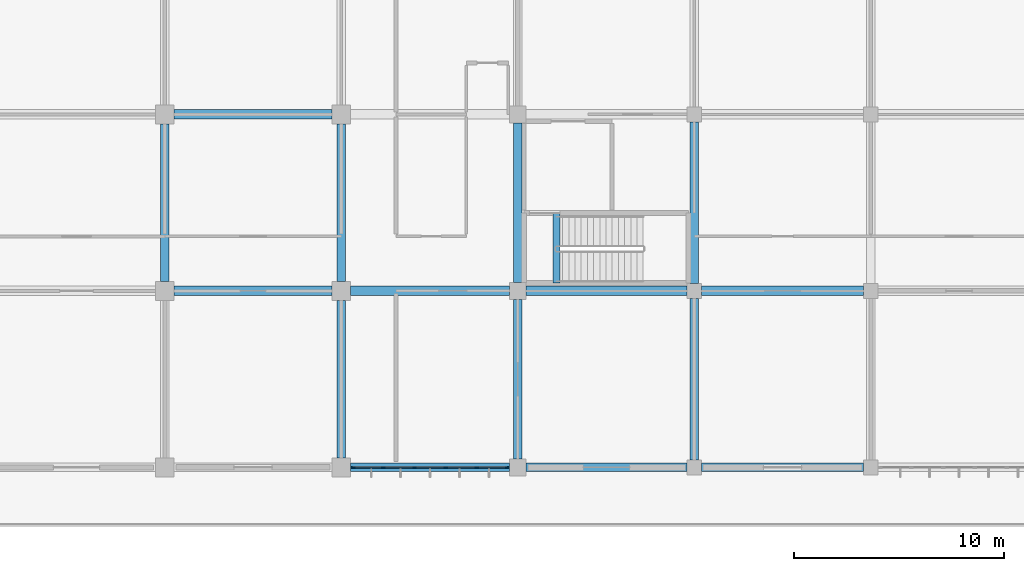
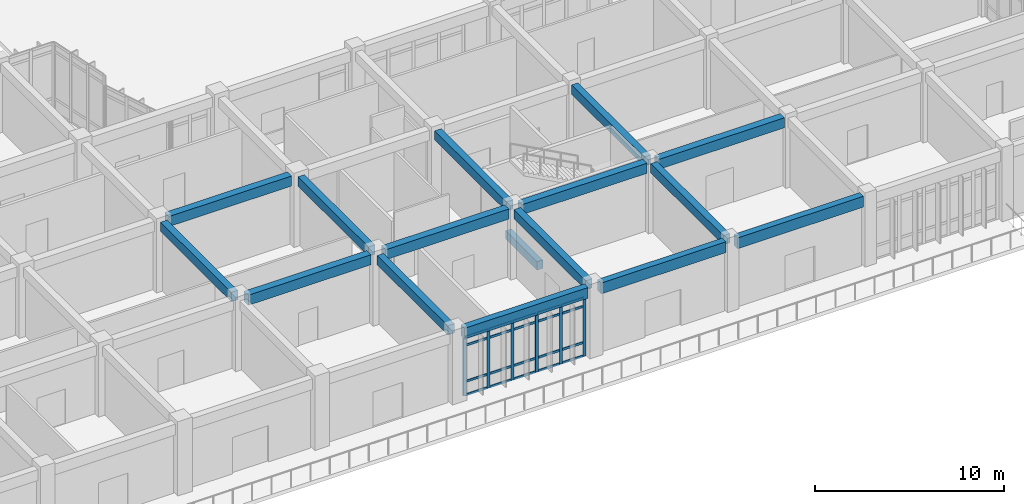
# One storey, part 47 of 138: 26 members, 16 beams, 1 element without a shape of its own.
"""IFC4 building model written with IfcOpenShell, lengths in metres."""

from ifc_helpers import new_model, si_unit, direction, frame, origin, origin_2d, place, context, subcontext, project, spatial, rectangle, extrude, material, layer, layer_set, material_profile, profile_set, type_object, element, aggregate, save


model = new_model("IFC4")

# Units and contexts
model_context = context("Model", 3, precision=1e-05, world=origin(), true_north=direction((0.0, 1.0)))
body_context = subcontext(model_context, "Body", "Model", "MODEL_VIEW")
ifc_project = project(units=[si_unit("LENGTHUNIT", "METRE"), si_unit("AREAUNIT", "SQUARE_METRE"), si_unit("VOLUMEUNIT", "CUBIC_METRE"), si_unit("PLANEANGLEUNIT", "RADIAN"), si_unit("MASSUNIT", "GRAM", prefix="KILO")], contexts=[model_context])

# Site, building, storey
site_placement = place(None, origin())
site = spatial("IfcSite", under=ifc_project, at=site_placement, CompositionType="ELEMENT")
building_placement = place(site_placement, origin())
building = spatial("IfcBuilding", under=site, at=building_placement, Name="Bramfleet General Hospital", CompositionType="ELEMENT")
storey_placement = place(building_placement, origin())
storey = spatial("IfcBuildingStorey", under=building, at=storey_placement, Name="L00", CompositionType="ELEMENT", Elevation=0.0)

# Beams
ifc_material_1 = material(Name="Concrete C35/45", Category="concrete")
ifc_material_profile_1 = material_profile(ifc_material_1, rectangle(XDim=0.35009765625, YDim=0.550048828125, at=origin_2d()), Name="RC BM 550x350")
ifc_profile_set_1 = profile_set([ifc_material_profile_1], Name="Concrete C35/45")
beam_type_1 = type_object("IfcBeamType", Name="BM-RC550", PredefinedType="BEAM", material=ifc_profile_set_1)
beam_1_placement = place(storey_placement, frame((144.639892578125, 8.780029296875, -0.27490234375), z_axis=(0.0, 1.0, 0.0), x_axis=(-1.0, 0.0, 0.0)))
element("IfcBeam", 1, at=beam_1_placement, inside=storey, type_object=beam_type_1, Name="L00 C10 Stairwell Trimmer Beam", PredefinedType="BEAM", context=body_context, shape_type="SweptSolid", body=[
    extrude(rectangle(XDim=0.35009765625, YDim=0.550048828125, at=origin_2d()), origin(), (0.0, 0.0, 1.0), 3.320068359375),
])
ifc_material_profile_2 = material_profile(ifc_material_1, rectangle(XDim=0.39990234375, YDim=0.60009765625, at=origin_2d()), Name="RC BM 600x400")
ifc_profile_set_2 = profile_set([ifc_material_profile_2], Name="Concrete C35/45")
beam_type_2 = type_object("IfcBeamType", Name="BM-RC600", PredefinedType="BEAM", material=ifc_profile_set_2)
for number, where, z_axis, x_axis, name in (
    (2, (126.0, 8.85009765625, 4.199951171875), (0.0, 1.0, 0.0), (-1.0, 0.0, 0.0), "L00 Grid Beam Y 15-01"),
    (3, (134.39990234375, 0.449951171875, 4.199951171875), (0.0, 1.0, 0.0), (-1.0, 0.0, 0.0), "L00 Grid Beam Y 16-00"),
    (4, (134.39990234375, 8.85009765625, 4.199951171875), (0.0, 1.0, 0.0), (-1.0, 0.0, 0.0), "L00 Grid Beam Y 16-01"),
):
    element("IfcBeam", number, at=place(storey_placement, frame(where, z_axis=z_axis, x_axis=x_axis)), inside=storey, type_object=beam_type_2, Name=name, PredefinedType="BEAM", context=body_context, shape_type="SweptSolid", body=[
        extrude(rectangle(XDim=0.39990234375, YDim=0.60009765625, at=origin_2d()), origin(), (0.0, 0.0, 1.0), 7.5),
    ])
beam_2_placement = place(storey_placement, frame((142.800048828125, 0.39990234375, 4.199951171875), z_axis=(0.0, 1.0, 0.0), x_axis=(-1.0, 0.0, 0.0)))
element("IfcBeam", 5, at=beam_2_placement, inside=storey, type_object=beam_type_2, Name="L00 Grid Beam Y 17-00", PredefinedType="BEAM", context=body_context, shape_type="SweptSolid", body=[
    extrude(rectangle(XDim=0.39990234375, YDim=0.60009765625, at=origin_2d()), origin(), (0.0, 0.0, 1.0), 7.60009765625),
])
beam_3_placement = place(storey_placement, frame((142.800048828125, 8.800048828125, 4.199951171875), z_axis=(0.0, 1.0, 0.0), x_axis=(-1.0, 0.0, 0.0)))
element("IfcBeam", 6, at=beam_3_placement, inside=storey, type_object=beam_type_2, Name="L00 Grid Beam Y 17-01", PredefinedType="BEAM", context=body_context, shape_type="SweptSolid", body=[
    extrude(rectangle(XDim=0.39990234375, YDim=0.60009765625, at=origin_2d()), origin(), (0.0, 0.0, 1.0), 7.599853515625),
])
for number, where, z_axis, x_axis, name in (
    (7, (151.199951171875, 0.35009765625, 4.199951171875), (0.0, 1.0, 0.0), (-1.0, 0.0, 0.0), "L00 Grid Beam Y 18-00"),
    (8, (151.199951171875, 8.75, 4.199951171875), (0.0, 1.0, 0.0), (-1.0, 0.0, 0.0), "L00 Grid Beam Y 18-01"),
):
    element("IfcBeam", number, at=place(storey_placement, frame(where, z_axis=z_axis, x_axis=x_axis)), inside=storey, type_object=beam_type_2, Name=name, PredefinedType="BEAM", context=body_context, shape_type="SweptSolid", body=[
        extrude(rectangle(XDim=0.39990234375, YDim=0.60009765625, at=origin_2d()), origin(), (0.0, 0.0, 1.0), 7.699951171875),
    ])
ifc_material_profile_3 = material_profile(ifc_material_1, rectangle(XDim=0.449951171875, YDim=0.64990234375, at=origin_2d()), Name="RC BM 650x450")
ifc_profile_set_3 = profile_set([ifc_material_profile_3], Name="Concrete C35/45")
beam_type_3 = type_object("IfcBeamType", Name="BM-RC650", PredefinedType="BEAM", material=ifc_profile_set_3)
for number, where, z_axis, x_axis, name in (
    (9, (126.449951171875, 8.39990234375, 4.175048828125), (1.0, 0.0, 0.0), (0.0, 1.0, 0.0), "L00 Grid Beam X 15-01"),
    (10, (126.449951171875, 16.800048828125, 4.175048828125), (1.0, 0.0, 0.0), (0.0, 1.0, 0.0), "L00 Grid Beam X 15-02"),
):
    element("IfcBeam", number, at=place(storey_placement, frame(where, z_axis=z_axis, x_axis=x_axis)), inside=storey, type_object=beam_type_3, Name=name, PredefinedType="BEAM", context=body_context, shape_type="SweptSolid", body=[
        extrude(rectangle(XDim=0.449951171875, YDim=0.64990234375, at=origin_2d()), origin(), (0.0, 0.0, 1.0), 7.5),
    ])
beam_4_placement = place(storey_placement, frame((134.85009765625, 8.39990234375, 4.175048828125), z_axis=(1.0, 0.0, 0.0), x_axis=(0.0, 1.0, 0.0)))
element("IfcBeam", 11, at=beam_4_placement, inside=storey, type_object=beam_type_3, Name="L00 Grid Beam X 16-01", PredefinedType="BEAM", context=body_context, shape_type="SweptSolid", body=[
    extrude(rectangle(XDim=0.449951171875, YDim=0.64990234375, at=origin_2d()), origin(), (0.0, 0.0, 1.0), 7.5498046875),
])
beam_5_placement = place(storey_placement, frame((143.199951171875, 8.39990234375, 4.175048828125), z_axis=(1.0, 0.0, 0.0), x_axis=(0.0, 1.0, 0.0)))
element("IfcBeam", 12, at=beam_5_placement, inside=storey, type_object=beam_type_3, Name="L00 Grid Beam X 17-01", PredefinedType="BEAM", context=body_context, shape_type="SweptSolid", body=[
    extrude(rectangle(XDim=0.449951171875, YDim=0.64990234375, at=origin_2d()), origin(), (0.0, 0.0, 1.0), 7.650146484375),
])
beam_6_placement = place(storey_placement, frame((151.550048828125, 8.39990234375, 4.175048828125), z_axis=(1.0, 0.0, 0.0), x_axis=(0.0, 1.0, 0.0)))
element("IfcBeam", 13, at=beam_6_placement, inside=storey, type_object=beam_type_3, Name="L00 Grid Beam X 18-01", PredefinedType="BEAM", context=body_context, shape_type="SweptSolid", body=[
    extrude(rectangle(XDim=0.449951171875, YDim=0.64990234375, at=origin_2d()), origin(), (0.0, 0.0, 1.0), 7.699951171875),
])
ifc_material_profile_4 = material_profile(ifc_material_1, rectangle(XDim=0.39990234375, YDim=0.699951171875, at=origin_2d()), Name="RC SP 700x400")
ifc_profile_set_4 = profile_set([ifc_material_profile_4], Name="Concrete C35/45")
beam_type_4 = type_object("IfcBeamType", Name="BM-SP700", PredefinedType="SPANDREL", material=ifc_profile_set_4)
beam_7_placement = place(storey_placement, frame((134.85009765625, 0.0, 4.14990234375), z_axis=(1.0, 0.0, 0.0), x_axis=(0.0, 1.0, 0.0)))
element("IfcBeam", 14, at=beam_7_placement, inside=storey, type_object=beam_type_4, Name="L00 Grid Beam X 16-00", PredefinedType="SPANDREL", context=body_context, shape_type="SweptSolid", body=[
    extrude(rectangle(XDim=0.39990234375, YDim=0.699951171875, at=origin_2d()), origin(), (0.0, 0.0, 1.0), 7.5498046875),
])
beam_8_placement = place(storey_placement, frame((143.199951171875, 0.0, 4.14990234375), z_axis=(1.0, 0.0, 0.0), x_axis=(0.0, 1.0, 0.0)))
element("IfcBeam", 15, at=beam_8_placement, inside=storey, type_object=beam_type_4, Name="L00 Grid Beam X 17-00", PredefinedType="SPANDREL", context=body_context, shape_type="SweptSolid", body=[
    extrude(rectangle(XDim=0.39990234375, YDim=0.699951171875, at=origin_2d()), origin(), (0.0, 0.0, 1.0), 7.650146484375),
])
beam_9_placement = place(storey_placement, frame((151.550048828125, 0.0, 4.14990234375), z_axis=(1.0, 0.0, 0.0), x_axis=(0.0, 1.0, 0.0)))
element("IfcBeam", 16, at=beam_9_placement, inside=storey, type_object=beam_type_4, Name="L00 Grid Beam X 18-00", PredefinedType="SPANDREL", context=body_context, shape_type="SweptSolid", body=[
    extrude(rectangle(XDim=0.39990234375, YDim=0.699951171875, at=origin_2d()), origin(), (0.0, 0.0, 1.0), 7.699951171875),
])

# Curtain wall, members
ifc_material_2 = material(Name="Anodised aluminium and low-E triple glazing", Category="aluminium")
ifc_layer = layer(ifc_material_2, 0.179931640625, Name="CWT-CW-16")
ifc_layer_set = layer_set([ifc_layer], Name="Anodised aluminium and low-E triple glazing")
curtain_wall_type = type_object("IfcCurtainWallType", Name="CWT-CW-16", PredefinedType="USERDEFINED", material=ifc_layer_set)
curtain_wall_placement = place(storey_placement, origin())
curtain_wall = element("IfcCurtainWall", 17, at=curtain_wall_placement, inside=storey, type_object=curtain_wall_type, Name="L00 Curtain Wall 34", ObjectType="Stick curtain wall", PredefinedType="USERDEFINED")
ifc_material_3 = material(Name="Structural timber GL28h", Category="wood")
ifc_material_profile_5 = material_profile(ifc_material_3, rectangle(XDim=0.070068359375, YDim=0.18994140625, at=origin_2d()), Name="LARCH 190x70")
ifc_profile_set_5 = profile_set([ifc_material_profile_5], Name="Structural timber GL28h")
member_type_1 = type_object("IfcMemberType", Name="CWM-LARCH450", PredefinedType="MULLION", material=ifc_profile_set_5)
member_1_placement = place(storey_placement, frame((142.2900390625, 0.0, 0.0), z_axis=(0.0, 0.0, 1.0), x_axis=(0.0, -1.0, 0.0)))
member_1 = element("IfcMember", 18, at=member_1_placement, type_object=member_type_1, Name="CW-16 mullion 1", PredefinedType="MULLION", context=body_context, shape_type="SweptSolid", body=[
    extrude(rectangle(XDim=0.070068359375, YDim=0.18994140625, at=origin_2d()), origin(), (0.0, 0.0, 1.0), 3.7900390625),
])
member_2_placement = place(storey_placement, frame((140.844970703125, 0.0, 0.0), z_axis=(0.0, 0.0, 1.0), x_axis=(0.0, -1.0, 0.0)))
member_2 = element("IfcMember", 19, at=member_2_placement, type_object=member_type_1, Name="CW-16 mullion 2", PredefinedType="MULLION", context=body_context, shape_type="SweptSolid", body=[
    extrude(rectangle(XDim=0.070068359375, YDim=0.18994140625, at=origin_2d()), origin(), (0.0, 0.0, 1.0), 3.7900390625),
])
member_3_placement = place(storey_placement, frame((139.364990234375, 0.0, 0.0), z_axis=(0.0, 0.0, 1.0), x_axis=(0.0, -1.0, 0.0)))
member_3 = element("IfcMember", 20, at=member_3_placement, type_object=member_type_1, Name="CW-16 mullion 3", PredefinedType="MULLION", context=body_context, shape_type="SweptSolid", body=[
    extrude(rectangle(XDim=0.070068359375, YDim=0.18994140625, at=origin_2d()), origin(), (0.0, 0.0, 1.0), 3.7900390625),
])
member_4_placement = place(storey_placement, frame((137.885009765625, 0.0, 0.0), z_axis=(0.0, 0.0, 1.0), x_axis=(0.0, -1.0, 0.0)))
member_4 = element("IfcMember", 21, at=member_4_placement, type_object=member_type_1, Name="CW-16 mullion 4", PredefinedType="MULLION", context=body_context, shape_type="SweptSolid", body=[
    extrude(rectangle(XDim=0.070068359375, YDim=0.18994140625, at=origin_2d()), origin(), (0.0, 0.0, 1.0), 3.7900390625),
])
member_5_placement = place(storey_placement, frame((136.405029296875, 0.0, 0.0), z_axis=(0.0, 0.0, 1.0), x_axis=(0.0, -1.0, 0.0)))
member_5 = element("IfcMember", 22, at=member_5_placement, type_object=member_type_1, Name="CW-16 mullion 5", PredefinedType="MULLION", context=body_context, shape_type="SweptSolid", body=[
    extrude(rectangle(XDim=0.070068359375, YDim=0.18994140625, at=origin_2d()), origin(), (0.0, 0.0, 1.0), 3.7900390625),
])
member_6_placement = place(storey_placement, frame((134.9599609375, 0.0, 0.0), z_axis=(0.0, 0.0, 1.0), x_axis=(0.0, -1.0, 0.0)))
member_6 = element("IfcMember", 23, at=member_6_placement, type_object=member_type_1, Name="CW-16 mullion 6", PredefinedType="MULLION", context=body_context, shape_type="SweptSolid", body=[
    extrude(rectangle(XDim=0.070068359375, YDim=0.18994140625, at=origin_2d()), origin(), (0.0, 0.0, 1.0), 3.7900390625),
])
ifc_material_profile_6 = material_profile(ifc_material_3, rectangle(XDim=0.06494140625, YDim=0.14990234375, at=origin_2d()), Name="LARCH 150x65")
ifc_profile_set_6 = profile_set([ifc_material_profile_6], Name="Structural timber GL28h")
member_type_2 = type_object("IfcMemberType", Name="CWT-LARCH220", PredefinedType="USERDEFINED", material=ifc_profile_set_6)
member_7_placement = place(storey_placement, frame((142.2548828125, 0.0, 0.032470703125), z_axis=(-1.0, 0.0, 0.0), x_axis=(0.0, -1.0, 0.0)))
member_7 = element("IfcMember", 24, at=member_7_placement, type_object=member_type_2, Name="CW-16 transom 1.1", ObjectType="TRANSOM", PredefinedType="USERDEFINED", context=body_context, shape_type="SweptSolid", body=[
    extrude(rectangle(XDim=0.06494140625, YDim=0.14990234375, at=origin_2d()), origin(), (0.0, 0.0, 1.0), 1.375),
])
member_8_placement = place(storey_placement, frame((142.2548828125, 0.0, 0.89990234375), z_axis=(-1.0, 0.0, 0.0), x_axis=(0.0, -1.0, 0.0)))
member_8 = element("IfcMember", 25, at=member_8_placement, type_object=member_type_2, Name="CW-16 transom 1.2", ObjectType="TRANSOM", PredefinedType="USERDEFINED", context=body_context, shape_type="SweptSolid", body=[
    extrude(rectangle(XDim=0.06494140625, YDim=0.14990234375, at=origin_2d()), origin(), (0.0, 0.0, 1.0), 1.375),
])
member_9_placement = place(storey_placement, frame((142.2548828125, 0.0, 3.239990234375), z_axis=(-1.0, 0.0, 0.0), x_axis=(0.0, -1.0, 0.0)))
member_9 = element("IfcMember", 26, at=member_9_placement, type_object=member_type_2, Name="CW-16 transom 1.3", ObjectType="TRANSOM", PredefinedType="USERDEFINED", context=body_context, shape_type="SweptSolid", body=[
    extrude(rectangle(XDim=0.06494140625, YDim=0.14990234375, at=origin_2d()), origin(), (0.0, 0.0, 1.0), 1.375),
])
member_10_placement = place(storey_placement, frame((142.2548828125, 0.0, 3.757568359375), z_axis=(-1.0, 0.0, 0.0), x_axis=(0.0, -1.0, 0.0)))
member_10 = element("IfcMember", 27, at=member_10_placement, type_object=member_type_2, Name="CW-16 transom 1.4", ObjectType="TRANSOM", PredefinedType="USERDEFINED", context=body_context, shape_type="SweptSolid", body=[
    extrude(rectangle(XDim=0.06494140625, YDim=0.14990234375, at=origin_2d()), origin(), (0.0, 0.0, 1.0), 1.375),
])
member_11_placement = place(storey_placement, frame((140.81005859375, 0.0, 0.032470703125), z_axis=(-1.0, 0.0, 0.0), x_axis=(0.0, -1.0, 0.0)))
member_11 = element("IfcMember", 28, at=member_11_placement, type_object=member_type_2, Name="CW-16 transom 2.1", ObjectType="TRANSOM", PredefinedType="USERDEFINED", context=body_context, shape_type="SweptSolid", body=[
    extrude(rectangle(XDim=0.06494140625, YDim=0.14990234375, at=origin_2d()), origin(), (0.0, 0.0, 1.0), 1.41015625),
])
member_12_placement = place(storey_placement, frame((140.81005859375, 0.0, 0.89990234375), z_axis=(-1.0, 0.0, 0.0), x_axis=(0.0, -1.0, 0.0)))
member_12 = element("IfcMember", 29, at=member_12_placement, type_object=member_type_2, Name="CW-16 transom 2.2", ObjectType="TRANSOM", PredefinedType="USERDEFINED", context=body_context, shape_type="SweptSolid", body=[
    extrude(rectangle(XDim=0.06494140625, YDim=0.14990234375, at=origin_2d()), origin(), (0.0, 0.0, 1.0), 1.41015625),
])
member_13_placement = place(storey_placement, frame((140.81005859375, 0.0, 3.239990234375), z_axis=(-1.0, 0.0, 0.0), x_axis=(0.0, -1.0, 0.0)))
member_13 = element("IfcMember", 30, at=member_13_placement, type_object=member_type_2, Name="CW-16 transom 2.3", ObjectType="TRANSOM", PredefinedType="USERDEFINED", context=body_context, shape_type="SweptSolid", body=[
    extrude(rectangle(XDim=0.06494140625, YDim=0.14990234375, at=origin_2d()), origin(), (0.0, 0.0, 1.0), 1.41015625),
])
member_14_placement = place(storey_placement, frame((140.81005859375, 0.0, 3.757568359375), z_axis=(-1.0, 0.0, 0.0), x_axis=(0.0, -1.0, 0.0)))
member_14 = element("IfcMember", 31, at=member_14_placement, type_object=member_type_2, Name="CW-16 transom 2.4", ObjectType="TRANSOM", PredefinedType="USERDEFINED", context=body_context, shape_type="SweptSolid", body=[
    extrude(rectangle(XDim=0.06494140625, YDim=0.14990234375, at=origin_2d()), origin(), (0.0, 0.0, 1.0), 1.41015625),
])
member_15_placement = place(storey_placement, frame((139.330078125, 0.0, 0.032470703125), z_axis=(-1.0, 0.0, 0.0), x_axis=(0.0, -1.0, 0.0)))
member_15 = element("IfcMember", 32, at=member_15_placement, type_object=member_type_2, Name="CW-16 transom 3.1", ObjectType="TRANSOM", PredefinedType="USERDEFINED", context=body_context, shape_type="SweptSolid", body=[
    extrude(rectangle(XDim=0.06494140625, YDim=0.14990234375, at=origin_2d()), origin(), (0.0, 0.0, 1.0), 1.41015625),
])
member_16_placement = place(storey_placement, frame((139.330078125, 0.0, 0.89990234375), z_axis=(-1.0, 0.0, 0.0), x_axis=(0.0, -1.0, 0.0)))
member_16 = element("IfcMember", 33, at=member_16_placement, type_object=member_type_2, Name="CW-16 transom 3.2", ObjectType="TRANSOM", PredefinedType="USERDEFINED", context=body_context, shape_type="SweptSolid", body=[
    extrude(rectangle(XDim=0.06494140625, YDim=0.14990234375, at=origin_2d()), origin(), (0.0, 0.0, 1.0), 1.41015625),
])
member_17_placement = place(storey_placement, frame((139.330078125, 0.0, 3.239990234375), z_axis=(-1.0, 0.0, 0.0), x_axis=(0.0, -1.0, 0.0)))
member_17 = element("IfcMember", 34, at=member_17_placement, type_object=member_type_2, Name="CW-16 transom 3.3", ObjectType="TRANSOM", PredefinedType="USERDEFINED", context=body_context, shape_type="SweptSolid", body=[
    extrude(rectangle(XDim=0.06494140625, YDim=0.14990234375, at=origin_2d()), origin(), (0.0, 0.0, 1.0), 1.41015625),
])
member_18_placement = place(storey_placement, frame((139.330078125, 0.0, 3.757568359375), z_axis=(-1.0, 0.0, 0.0), x_axis=(0.0, -1.0, 0.0)))
member_18 = element("IfcMember", 35, at=member_18_placement, type_object=member_type_2, Name="CW-16 transom 3.4", ObjectType="TRANSOM", PredefinedType="USERDEFINED", context=body_context, shape_type="SweptSolid", body=[
    extrude(rectangle(XDim=0.06494140625, YDim=0.14990234375, at=origin_2d()), origin(), (0.0, 0.0, 1.0), 1.41015625),
])
member_19_placement = place(storey_placement, frame((137.85009765625, 0.0, 0.032470703125), z_axis=(-1.0, 0.0, 0.0), x_axis=(0.0, -1.0, 0.0)))
member_19 = element("IfcMember", 36, at=member_19_placement, type_object=member_type_2, Name="CW-16 transom 4.1", ObjectType="TRANSOM", PredefinedType="USERDEFINED", context=body_context, shape_type="SweptSolid", body=[
    extrude(rectangle(XDim=0.06494140625, YDim=0.14990234375, at=origin_2d()), origin(), (0.0, 0.0, 1.0), 1.41015625),
])
member_20_placement = place(storey_placement, frame((137.85009765625, 0.0, 0.89990234375), z_axis=(-1.0, 0.0, 0.0), x_axis=(0.0, -1.0, 0.0)))
member_20 = element("IfcMember", 37, at=member_20_placement, type_object=member_type_2, Name="CW-16 transom 4.2", ObjectType="TRANSOM", PredefinedType="USERDEFINED", context=body_context, shape_type="SweptSolid", body=[
    extrude(rectangle(XDim=0.06494140625, YDim=0.14990234375, at=origin_2d()), origin(), (0.0, 0.0, 1.0), 1.41015625),
])
member_21_placement = place(storey_placement, frame((137.85009765625, 0.0, 3.239990234375), z_axis=(-1.0, 0.0, 0.0), x_axis=(0.0, -1.0, 0.0)))
member_21 = element("IfcMember", 38, at=member_21_placement, type_object=member_type_2, Name="CW-16 transom 4.3", ObjectType="TRANSOM", PredefinedType="USERDEFINED", context=body_context, shape_type="SweptSolid", body=[
    extrude(rectangle(XDim=0.06494140625, YDim=0.14990234375, at=origin_2d()), origin(), (0.0, 0.0, 1.0), 1.41015625),
])
member_22_placement = place(storey_placement, frame((137.85009765625, 0.0, 3.757568359375), z_axis=(-1.0, 0.0, 0.0), x_axis=(0.0, -1.0, 0.0)))
member_22 = element("IfcMember", 39, at=member_22_placement, type_object=member_type_2, Name="CW-16 transom 4.4", ObjectType="TRANSOM", PredefinedType="USERDEFINED", context=body_context, shape_type="SweptSolid", body=[
    extrude(rectangle(XDim=0.06494140625, YDim=0.14990234375, at=origin_2d()), origin(), (0.0, 0.0, 1.0), 1.41015625),
])
member_23_placement = place(storey_placement, frame((136.3701171875, 0.0, 0.032470703125), z_axis=(-1.0, 0.0, 0.0), x_axis=(0.0, -1.0, 0.0)))
member_23 = element("IfcMember", 40, at=member_23_placement, type_object=member_type_2, Name="CW-16 transom 5.1", ObjectType="TRANSOM", PredefinedType="USERDEFINED", context=body_context, shape_type="SweptSolid", body=[
    extrude(rectangle(XDim=0.06494140625, YDim=0.14990234375, at=origin_2d()), origin(), (0.0, 0.0, 1.0), 1.375),
])
member_24_placement = place(storey_placement, frame((136.3701171875, 0.0, 0.89990234375), z_axis=(-1.0, 0.0, 0.0), x_axis=(0.0, -1.0, 0.0)))
member_24 = element("IfcMember", 41, at=member_24_placement, type_object=member_type_2, Name="CW-16 transom 5.2", ObjectType="TRANSOM", PredefinedType="USERDEFINED", context=body_context, shape_type="SweptSolid", body=[
    extrude(rectangle(XDim=0.06494140625, YDim=0.14990234375, at=origin_2d()), origin(), (0.0, 0.0, 1.0), 1.375),
])
member_25_placement = place(storey_placement, frame((136.3701171875, 0.0, 3.239990234375), z_axis=(-1.0, 0.0, 0.0), x_axis=(0.0, -1.0, 0.0)))
member_25 = element("IfcMember", 42, at=member_25_placement, type_object=member_type_2, Name="CW-16 transom 5.3", ObjectType="TRANSOM", PredefinedType="USERDEFINED", context=body_context, shape_type="SweptSolid", body=[
    extrude(rectangle(XDim=0.06494140625, YDim=0.14990234375, at=origin_2d()), origin(), (0.0, 0.0, 1.0), 1.375),
])
member_26_placement = place(storey_placement, frame((136.3701171875, 0.0, 3.757568359375), z_axis=(-1.0, 0.0, 0.0), x_axis=(0.0, -1.0, 0.0)))
member_26 = element("IfcMember", 43, at=member_26_placement, type_object=member_type_2, Name="CW-16 transom 5.4", ObjectType="TRANSOM", PredefinedType="USERDEFINED", context=body_context, shape_type="SweptSolid", body=[
    extrude(rectangle(XDim=0.06494140625, YDim=0.14990234375, at=origin_2d()), origin(), (0.0, 0.0, 1.0), 1.375),
])
aggregate(curtain_wall, [member_1, member_2, member_3, member_4, member_5, member_6, member_7, member_8, member_9, member_10, member_11, member_12, member_13, member_14, member_15, member_16, member_17, member_18, member_19, member_20, member_21, member_22, member_23, member_24, member_25, member_26])

save(model, "model.ifc")
